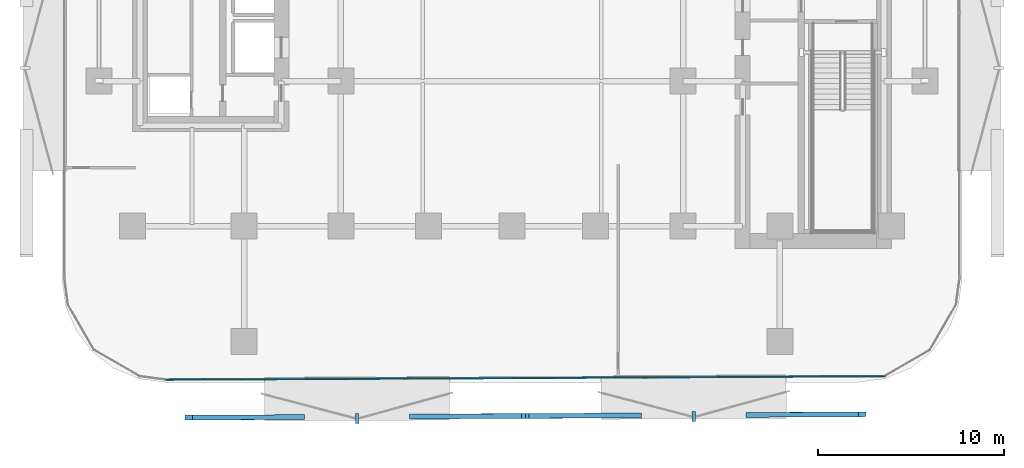
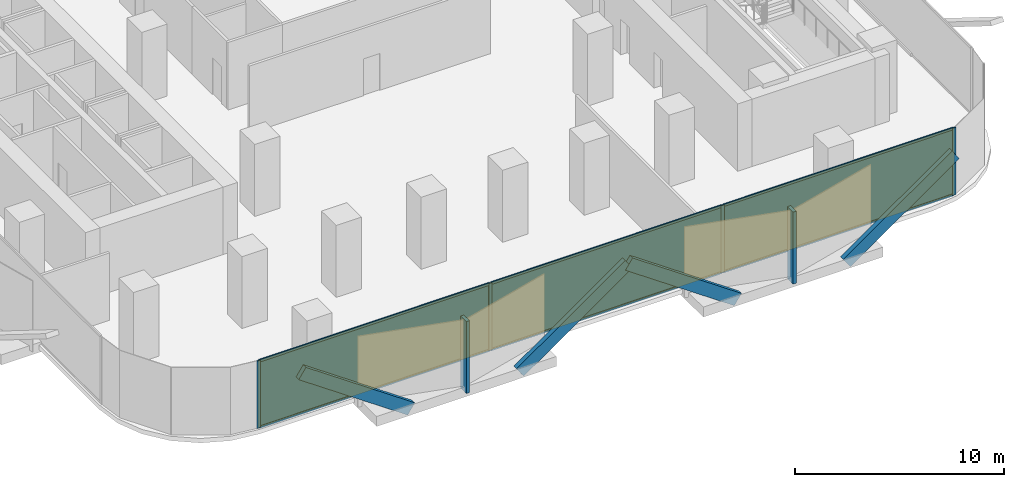
# One storey, part 7 of 15: 16 members, 3 plates, 1 curtain wall.
"""IFC4 building model written with IfcOpenShell, lengths in metres."""

from ifc_helpers import new_model, si_unit, direction, frame, frame_2d, origin, origin_2d, place, context, subcontext, project, spatial, rectangle, extrude, material, layer, layer_set, material_profile, profile_set, type_object, element, aggregate, save


model = new_model("IFC4")

# Units and contexts
model_context = context("Model", 3, precision=1e-05, world=origin(), true_north=direction((0.0, 1.0)))
body_context = subcontext(model_context, "Body", "Model", "MODEL_VIEW")
ifc_project = project(units=[si_unit("LENGTHUNIT", "METRE"), si_unit("AREAUNIT", "SQUARE_METRE"), si_unit("VOLUMEUNIT", "CUBIC_METRE"), si_unit("PLANEANGLEUNIT", "RADIAN"), si_unit("MASSUNIT", "GRAM", prefix="KILO")], contexts=[model_context])

# Member
ifc_material_1 = material(Name="Anodised Bronze Aluminium 6063-T6", Category="aluminium")
ifc_material_profile_1 = material_profile(ifc_material_1, rectangle(XDim=0.260009765625, YDim=0.699951171875, at=origin_2d()))
ifc_profile_set_1 = profile_set([ifc_material_profile_1], Name="Anodised Bronze Aluminium 6063-T6")
member_type_1 = type_object("IfcMemberType", Name="Bronze Diamond Solar-Screen Lattice Rib BDL-700", PredefinedType="MULLION", material=ifc_profile_set_1)
site_placement = place(None, origin())
building_placement = place(site_placement, origin())
storey_placement = place(building_placement, frame((0.0, 0.0, 34.39990234375)))
member_1_placement = place(storey_placement, frame((6.7548828125, -28.777099609375, -0.1298828125), z_axis=(-0.820743653079, -0.003984998518, 0.57128274586), x_axis=(-0.00764700594, 0.999962717129, -0.004010941449)))
member_1 = element("IfcMember", 1, at=member_1_placement, type_object=member_type_1, Name="L08 Bronze Diamond Solar Screen Lattice Rib 17A", PredefinedType="MULLION", context=body_context, shape_type="SweptSolid", body=[
    extrude(rectangle(XDim=0.260009765625, YDim=0.699951171875, at=origin_2d()), origin(), (0.0, 0.0, 1.0), 7.351806640625),
])

member_2_placement = place(storey_placement, frame((12.788818359375, -28.747802734375, -0.1298828125), z_axis=(0.820743653079, 0.003984998518, 0.57128274586), x_axis=(0.00764700594, -0.999962717129, -0.004010941449)))
member_2 = element("IfcMember", 2, at=member_2_placement, type_object=member_type_1, Name="L08 Bronze Diamond Solar Screen Lattice Rib 17B", PredefinedType="MULLION", context=body_context, shape_type="SweptSolid", body=[
    extrude(rectangle(XDim=0.260009765625, YDim=0.699951171875, at=origin_2d()), origin(), (0.0, 0.0, 1.0), 7.351806640625),
])

member_3_placement = place(storey_placement, frame((-11.346923828125, -28.864990234375, -0.1298828125), z_axis=(-0.820743653079, -0.003984998518, 0.57128274586), x_axis=(-0.00764700594, 0.999962717129, -0.004010941449)))
member_3 = element("IfcMember", 3, at=member_3_placement, type_object=member_type_1, Name="L08 Bronze Diamond Solar Screen Lattice Rib 18A", PredefinedType="MULLION", context=body_context, shape_type="SweptSolid", body=[
    extrude(rectangle(XDim=0.260009765625, YDim=0.699951171875, at=origin_2d()), origin(), (0.0, 0.0, 1.0), 7.351806640625),
])

member_4_placement = place(storey_placement, frame((-5.31298828125, -28.835693359375, -0.1298828125), z_axis=(0.820743653079, 0.003984998518, 0.57128274586), x_axis=(0.00764700594, -0.999962717129, -0.004010941449)))
member_4 = element("IfcMember", 4, at=member_4_placement, type_object=member_type_1, Name="L08 Bronze Diamond Solar Screen Lattice Rib 18B", PredefinedType="MULLION", context=body_context, shape_type="SweptSolid", body=[
    extrude(rectangle(XDim=0.260009765625, YDim=0.699951171875, at=origin_2d()), origin(), (0.0, 0.0, 1.0), 7.351806640625),
])

ifc_material_2 = material(Name="Anodised Bronze Aluminium 6063-T6", Category="aluminium")
ifc_material_profile_2 = material_profile(ifc_material_2, rectangle(XDim=0.179931640625, YDim=0.5400390625, at=origin_2d()))
ifc_profile_set_2 = profile_set([ifc_material_profile_2], Name="Anodised Bronze Aluminium 6063-T6")
member_type_2 = type_object("IfcMemberType", Name="Bronze Solar-Screen Vertical Fold Fin BSF-540", PredefinedType="MULLION", material=ifc_profile_set_2)
member_5_placement = place(storey_placement, frame((9.772216796875, -28.842529296875, -0.1298828125), z_axis=(0.0, 0.0, 1.0), x_axis=(-0.999988059021, -0.004886902454, 0.0)))
member_5 = element("IfcMember", 5, at=member_5_placement, type_object=member_type_2, Name="L08 Bronze Solar Screen Vertical Fin 17", PredefinedType="MULLION", context=body_context, shape_type="SweptSolid", body=[
    extrude(rectangle(XDim=0.179931640625, YDim=0.5400390625, at=origin_2d()), origin(), (0.0, 0.0, 1.0), 4.199951171875),
])

member_6_placement = place(storey_placement, frame((-8.32958984375, -28.930419921875, -0.1298828125), z_axis=(0.0, 0.0, 1.0), x_axis=(-0.999988059021, -0.004886902454, 0.0)))
member_6 = element("IfcMember", 6, at=member_6_placement, type_object=member_type_2, Name="L08 Bronze Solar Screen Vertical Fin 18", PredefinedType="MULLION", context=body_context, shape_type="SweptSolid", body=[
    extrude(rectangle(XDim=0.179931640625, YDim=0.5400390625, at=origin_2d()), origin(), (0.0, 0.0, 1.0), 4.199951171875),
])

ifc_material_3 = material(Name="Anodised Bronze Aluminium 6063-T6", Category="aluminium")
ifc_material_profile_3 = material_profile(ifc_material_3, rectangle(XDim=0.06494140625, YDim=0.179931640625, at=origin_2d()))
ifc_profile_set_3 = profile_set([ifc_material_profile_3], Name="Anodised Bronze Aluminium 6063-T6")
member_type_3 = type_object("IfcMemberType", Name="CW-Z1 Mullion 65x180", PredefinedType="MULLION", material=ifc_profile_set_3)
member_7_placement = place(storey_placement, frame((19.98046875, -26.6728515625, 0.0), z_axis=(0.0, 0.0, 1.0), x_axis=(0.004849219095, -0.999988242468, 0.0)))
member_7 = element("IfcMember", 7, at=member_7_placement, type_object=member_type_3, Name="CW-Z1 mullion 1", PredefinedType="MULLION", context=body_context, shape_type="SweptSolid", body=[
    extrude(rectangle(XDim=0.06494140625, YDim=0.179931640625, at=origin_2d()), origin(), (0.0, 0.0, 1.0), 3.940185546875),
])

member_8_placement = place(storey_placement, frame((7.14501953125, -26.735107421875, 0.0), z_axis=(0.0, 0.0, 1.0), x_axis=(0.004849219095, -0.999988242468, 0.0)))
member_8 = element("IfcMember", 8, at=member_8_placement, type_object=member_type_3, Name="CW-Z1 mullion 2", PredefinedType="MULLION", context=body_context, shape_type="SweptSolid", body=[
    extrude(rectangle(XDim=0.06494140625, YDim=0.179931640625, at=origin_2d()), origin(), (0.0, 0.0, 1.0), 3.940185546875),
])

member_9_placement = place(storey_placement, frame((-5.722900390625, -26.797607421875, 0.0), z_axis=(0.0, 0.0, 1.0), x_axis=(0.004849219095, -0.999988242468, 0.0)))
member_9 = element("IfcMember", 9, at=member_9_placement, type_object=member_type_3, Name="CW-Z1 mullion 3", PredefinedType="MULLION", context=body_context, shape_type="SweptSolid", body=[
    extrude(rectangle(XDim=0.06494140625, YDim=0.179931640625, at=origin_2d()), origin(), (0.0, 0.0, 1.0), 3.940185546875),
])

member_10_placement = place(storey_placement, frame((-18.558349609375, -26.85986328125, 0.0), z_axis=(0.0, 0.0, 1.0), x_axis=(0.004849219095, -0.999988242468, 0.0)))
member_10 = element("IfcMember", 10, at=member_10_placement, type_object=member_type_3, Name="CW-Z1 mullion 4", PredefinedType="MULLION", context=body_context, shape_type="SweptSolid", body=[
    extrude(rectangle(XDim=0.06494140625, YDim=0.179931640625, at=origin_2d()), origin(), (0.0, 0.0, 1.0), 3.940185546875),
])

ifc_material_4 = material(Name="Anodised Bronze Aluminium 6063-T6", Category="aluminium")
ifc_material_profile_4 = material_profile(ifc_material_4, rectangle(XDim=0.06494140625, YDim=0.139892578125, at=origin_2d()))
ifc_profile_set_4 = profile_set([ifc_material_profile_4], Name="Anodised Bronze Aluminium 6063-T6")
member_type_4 = type_object("IfcMemberType", Name="CW-Z1 Transom 65x140", PredefinedType="USERDEFINED", material=ifc_profile_set_4)
member_11_placement = place(storey_placement, frame((19.947998046875, -26.673095703125, 0.03271484375), z_axis=(-0.99998821055, -0.004855796541, 0.0), x_axis=(0.004855796541, -0.99998821055, 0.0)))
member_11 = element("IfcMember", 11, at=member_11_placement, type_object=member_type_4, Name="CW-Z1 transom 1.1", ObjectType="TRANSOM", PredefinedType="USERDEFINED", context=body_context, shape_type="SweptSolid", body=[
    extrude(rectangle(XDim=0.06494140625, YDim=0.139892578125, at=origin_2d()), origin(), (0.0, 0.0, 1.0), 12.770751953125),
])

member_12_placement = place(storey_placement, frame((19.947998046875, -26.673095703125, 3.90771484375), z_axis=(-0.99998821055, -0.004855796541, 0.0), x_axis=(0.004855796541, -0.99998821055, 0.0)))
member_12 = element("IfcMember", 12, at=member_12_placement, type_object=member_type_4, Name="CW-Z1 transom 1.2", ObjectType="TRANSOM", PredefinedType="USERDEFINED", context=body_context, shape_type="SweptSolid", body=[
    extrude(rectangle(XDim=0.06494140625, YDim=0.139892578125, at=origin_2d()), origin(), (0.0, 0.0, 1.0), 12.770751953125),
])

member_13_placement = place(storey_placement, frame((7.112548828125, -26.7353515625, 0.03271484375), z_axis=(-0.999988270274, -0.004843481639, 0.0), x_axis=(0.004843481639, -0.999988270274, 0.0)))
member_13 = element("IfcMember", 13, at=member_13_placement, type_object=member_type_4, Name="CW-Z1 transom 2.1", ObjectType="TRANSOM", PredefinedType="USERDEFINED", context=body_context, shape_type="SweptSolid", body=[
    extrude(rectangle(XDim=0.06494140625, YDim=0.139892578125, at=origin_2d()), origin(), (0.0, 0.0, 1.0), 12.80322265625),
])

member_14_placement = place(storey_placement, frame((7.112548828125, -26.7353515625, 3.90771484375), z_axis=(-0.999988270274, -0.004843481639, 0.0), x_axis=(0.004843481639, -0.999988270274, 0.0)))
member_14 = element("IfcMember", 14, at=member_14_placement, type_object=member_type_4, Name="CW-Z1 transom 2.2", ObjectType="TRANSOM", PredefinedType="USERDEFINED", context=body_context, shape_type="SweptSolid", body=[
    extrude(rectangle(XDim=0.06494140625, YDim=0.139892578125, at=origin_2d()), origin(), (0.0, 0.0, 1.0), 12.80322265625),
])

member_15_placement = place(storey_placement, frame((-5.75537109375, -26.7978515625, 0.03271484375), z_axis=(-0.999988303196, -0.00483667968, 0.0), x_axis=(0.00483667968, -0.999988303196, 0.0)))
member_15 = element("IfcMember", 15, at=member_15_placement, type_object=member_type_4, Name="CW-Z1 transom 3.1", ObjectType="TRANSOM", PredefinedType="USERDEFINED", context=body_context, shape_type="SweptSolid", body=[
    extrude(rectangle(XDim=0.06494140625, YDim=0.139892578125, at=origin_2d()), origin(), (0.0, 0.0, 1.0), 12.770751953125),
])

member_16_placement = place(storey_placement, frame((-5.75537109375, -26.7978515625, 3.90771484375), z_axis=(-0.999988303196, -0.00483667968, 0.0), x_axis=(0.00483667968, -0.999988303196, 0.0)))
member_16 = element("IfcMember", 16, at=member_16_placement, type_object=member_type_4, Name="CW-Z1 transom 3.2", ObjectType="TRANSOM", PredefinedType="USERDEFINED", context=body_context, shape_type="SweptSolid", body=[
    extrude(rectangle(XDim=0.06494140625, YDim=0.139892578125, at=origin_2d()), origin(), (0.0, 0.0, 1.0), 12.770751953125),
])

# Plate
ifc_material_5 = material(Name="Low-E Solar Control Laminated Glass", Category="glass")
ifc_layer_1 = layer(ifc_material_5, 0.028076171875, Name="Low-E Solar Control Laminated Glass")
ifc_layer_set_1 = layer_set([ifc_layer_1], Name="Low-E Solar Control Laminated Glass")
plate_type = type_object("IfcPlateType", Name="CW-Z1 Low-E Double Glazed Panel 28mm", PredefinedType="CURTAIN_PANEL", material=ifc_layer_set_1)
plate_1_placement = place(storey_placement, frame((13.562744140625, -26.7041015625, 0.065185546875), z_axis=(0.0, 0.0, 1.0), x_axis=(-0.999988242468, -0.004849219095, 0.0)))
plate_1 = element("IfcPlate", 17, at=plate_1_placement, type_object=plate_type, Name="CW-Z1 panel 1.1", PredefinedType="CURTAIN_PANEL", context=body_context, shape_type="SweptSolid", body=[
    extrude(rectangle(XDim=12.7705078125, YDim=0.028076171875, at=origin_2d()), origin(), (0.0, 0.0, 1.0), 3.81005859375),
])

plate_2_placement = place(storey_placement, frame((0.7109375, -26.766357421875, 0.065185546875), z_axis=(0.0, 0.0, 1.0), x_axis=(-0.999988242468, -0.004849219095, 0.0)))
plate_2 = element("IfcPlate", 18, at=plate_2_placement, type_object=plate_type, Name="CW-Z1 panel 2.1", PredefinedType="CURTAIN_PANEL", context=body_context, shape_type="SweptSolid", body=[
    extrude(rectangle(XDim=12.802978515625, YDim=0.028076171875, at=origin_2d()), origin(), (0.0, 0.0, 1.0), 3.81005859375),
])

plate_3_placement = place(storey_placement, frame((-12.140625, -26.82861328125, 0.065185546875), z_axis=(0.0, 0.0, 1.0), x_axis=(-0.999988242468, -0.004849219095, 0.0)))
plate_3 = element("IfcPlate", 19, at=plate_3_placement, type_object=plate_type, Name="CW-Z1 panel 3.1", PredefinedType="CURTAIN_PANEL", context=body_context, shape_type="SweptSolid", body=[
    extrude(rectangle(XDim=12.7705078125, YDim=0.028076171875, at=origin_2d()), origin(), (0.0, 0.0, 1.0), 3.81005859375),
])

# Site, building, storey
site = spatial("IfcSite", under=ifc_project, at=site_placement, CompositionType="ELEMENT")
building = spatial("IfcBuilding", under=site, at=building_placement, Name="Khairoan Windgate Tower", CompositionType="ELEMENT")
storey = spatial("IfcBuildingStorey", under=building, at=storey_placement, Name="L08", CompositionType="ELEMENT", Elevation=34.39990234375)

# Curtain wall
ifc_material_6 = material(Name="Anodised Bronze Aluminium 6063-T6", Category="aluminium")
ifc_layer_2 = layer(ifc_material_6, 0.179931640625, Name="Anodised Bronze Aluminium 6063-T6")
ifc_layer_set_2 = layer_set([ifc_layer_2], Name="Anodised Bronze Aluminium 6063-T6")
curtain_wall_type = type_object("IfcCurtainWallType", Name="Low-Rise Office Unitised Curtain Wall CW-Z1", PredefinedType="NOTDEFINED", material=ifc_layer_set_2)
curtain_wall_placement = place(storey_placement, frame((20.012939453125, -26.6728515625, 0.0), z_axis=(0.0, 0.0, 1.0), x_axis=(-0.999988235487, -0.004850658525, 0.0)))
curtain_wall = element("IfcCurtainWall", 20, at=curtain_wall_placement, inside=storey, type_object=curtain_wall_type, Name="L08 Unitised Curtain Wall 1", PredefinedType="NOTDEFINED", context=body_context, shape_type="SweptSolid", body=[
    extrude(rectangle(XDim=38.604248046875, YDim=0.010009765625, at=frame_2d((19.30224609375, 0.0))), origin(), (0.0, 0.0, 1.0), 3.940185546875),
])

aggregate(curtain_wall, [member_7, member_8, member_9, member_10, member_11, member_12, plate_1, member_13, member_14, plate_2, member_15, member_16, plate_3, member_1, member_2, member_5, member_3, member_4, member_6])

save(model, "model.ifc")
